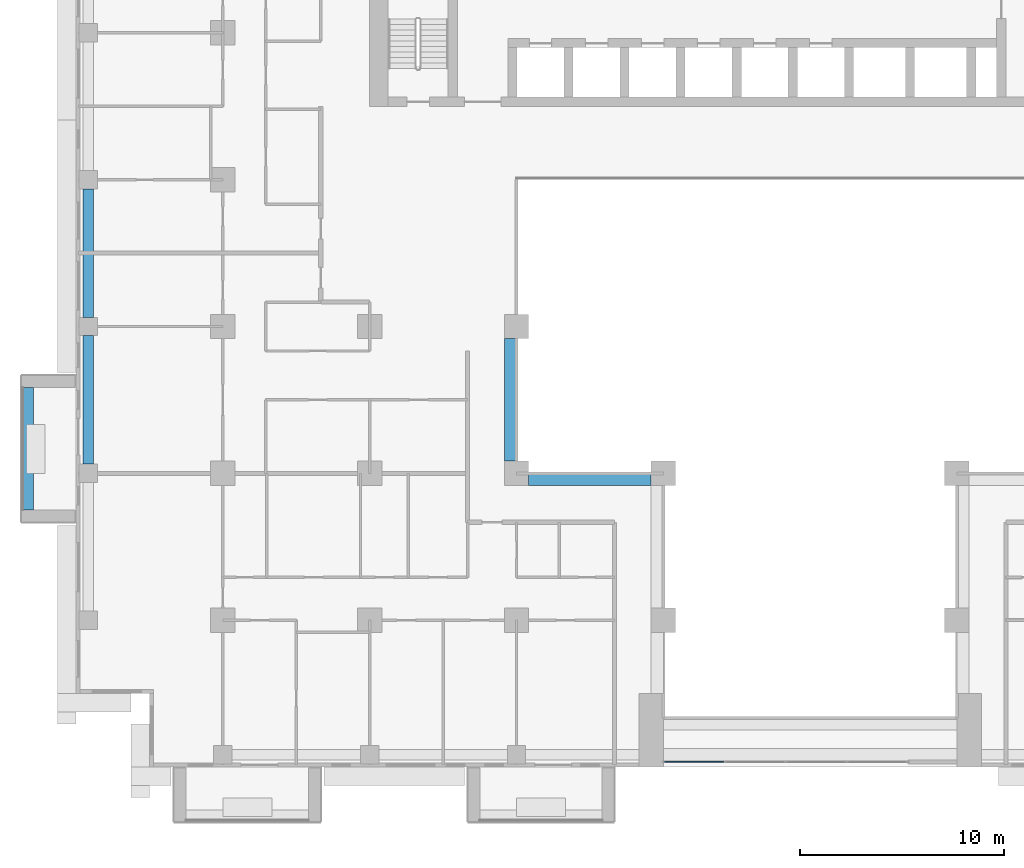
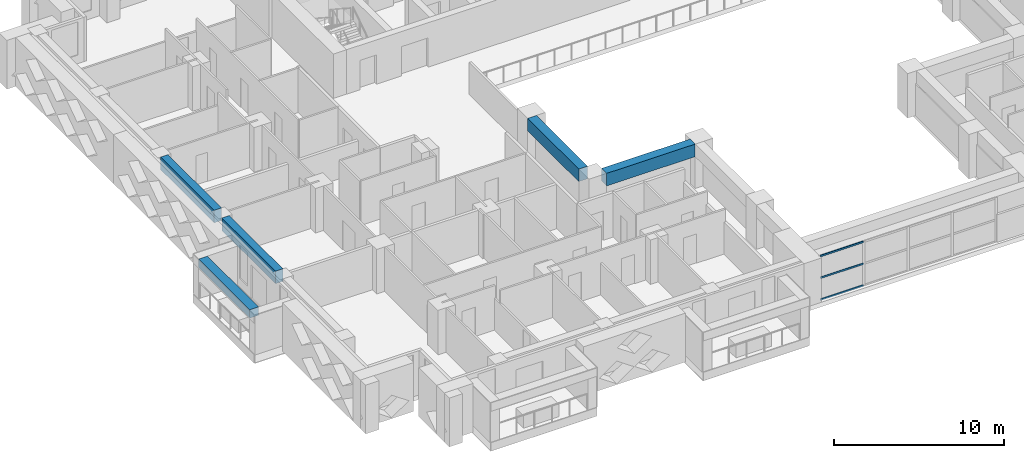
# One storey, part 3 of 17: 5 beams, 3 members, 1 element without a shape of its own.
"""IFC4 building model written with IfcOpenShell, lengths in metres."""

import ifcopenshell
import ifcopenshell.guid

model = None  # the IFC model being written
_history = None  # IfcOwnerHistory: only IFC2X3 demands one
_inside = {}  # id of a spatial element -> (the spatial element, [elements in it])
_under = {}  # id of a project, library or spatial element -> (it, [spatial elements below it])
_declared = {}  # id of a project -> (the project, [libraries it declares])
_typed = {}  # id of a type object -> (the type object, [elements of that type])
_made_of = {}  # id of a material, layer set ... -> (it, [elements and type objects made of it])


def new_model(schema):
    """Start an empty IFC model of exactly this schema.

    Asked for "IFC4X3", IfcOpenShell would pick the latest addendum, in which some entities
    have other attributes; the version numbers below select the first issue.
    IFC2X3 requires an IfcOwnerHistory on every rooted entity: one is made here for all.
    """
    global model, _history
    if schema == "IFC4X3":
        model = ifcopenshell.file(schema_version=(4, 3, 0, 0))
    else:
        model = ifcopenshell.file(schema=schema)
    _inside.clear()
    _under.clear()
    _declared.clear()
    _typed.clear()
    _made_of.clear()
    _history = None
    if model.schema == "IFC2X3":
        org = make("IfcOrganization", Name="unknown")
        user = make(
            "IfcPersonAndOrganization",
            ThePerson=make("IfcPerson", FamilyName="unknown"),
            TheOrganization=org,
        )
        app = make(
            "IfcApplication",
            ApplicationDeveloper=org,
            Version="unknown",
            ApplicationFullName="unknown",
            ApplicationIdentifier="unknown",
        )
        _history = make(
            "IfcOwnerHistory",
            OwningUser=user,
            OwningApplication=app,
            ChangeAction="ADDED",
            CreationDate=0,
        )
    return model


def make(cls, **values):
    """One entity of the class cls with the attributes given. An attribute that is None is left unset."""
    return model.create_entity(
        cls, **{name: value for name, value in values.items() if value is not None}
    )


def rooted(cls, **values):
    """An entity with a GlobalId (a new one), such as an element, a storey or a relation."""
    return make(cls, GlobalId=ifcopenshell.guid.new(), OwnerHistory=_history, **values)


def si_unit(unit_type, name, prefix=None):
    """IfcSIUnit, for example si_unit("LENGTHUNIT", "METRE", prefix="MILLI")."""
    return make("IfcSIUnit", UnitType=unit_type, Prefix=prefix, Name=name)


def assignment(units):
    """IfcUnitAssignment: the units of a project."""
    return None if units is None else make("IfcUnitAssignment", Units=units)


def point(xyz):
    """IfcCartesianPoint."""
    return None if xyz is None else make("IfcCartesianPoint", Coordinates=xyz)


def direction(xyz):
    """IfcDirection."""
    return None if xyz is None else make("IfcDirection", DirectionRatios=xyz)


def frame(location, z_axis=None, x_axis=None):
    """IfcAxis2Placement3D, a coordinate frame: its origin and axes. An axis left out is left unset."""
    return make(
        "IfcAxis2Placement3D",
        Location=point(location),
        Axis=direction(z_axis),
        RefDirection=direction(x_axis),
    )


def frame_2d(location, x_axis=None):
    """IfcAxis2Placement2D, a coordinate frame in the plane: its origin and x axis."""
    return make(
        "IfcAxis2Placement2D", Location=point(location), RefDirection=direction(x_axis)
    )


def origin():
    """The frame at (0, 0, 0) with its axes left unset."""
    return frame((0.0, 0.0, 0.0))


def origin_2d():
    """The frame at (0, 0) in the plane with its x axis left unset."""
    return frame_2d((0.0, 0.0))


def place(relative_to, where):
    """IfcLocalPlacement: puts the frame where relative to a parent placement (None: the world)."""
    return make(
        "IfcLocalPlacement", PlacementRelTo=relative_to, RelativePlacement=where
    )


def context(
    kind, dimensions, precision=None, world=None, true_north=None, identifier=None
):
    """IfcGeometricRepresentationContext, for example the 3D "Model" context."""
    return make(
        "IfcGeometricRepresentationContext",
        ContextIdentifier=identifier,
        ContextType=kind,
        CoordinateSpaceDimension=dimensions,
        Precision=precision,
        WorldCoordinateSystem=world,
        TrueNorth=true_north,
    )


def subcontext(parent, identifier, kind, view, scale=None):
    """IfcGeometricRepresentationSubContext, for example "Body" below "Model"."""
    return make(
        "IfcGeometricRepresentationSubContext",
        ContextIdentifier=identifier,
        ContextType=kind,
        ParentContext=parent,
        TargetScale=scale,
        TargetView=view,
    )


def project(units=None, contexts=None):
    """IfcProject with its units and contexts."""
    return rooted(
        "IfcProject",
        Name="project",
        RepresentationContexts=contexts,
        UnitsInContext=assignment(units),
    )


def spatial(cls, under=None, at=None, **own):
    """A site, building, storey or space (cls), placed at a placement, below another one or the project."""
    s = rooted(cls, ObjectPlacement=at, **own)
    if under is not None:
        _under.setdefault(under.id(), (under, []))[1].append(s)
    return s


def profile(cls, at=None, kind="AREA", **sizes):
    """A parametric profile (cls). Its sizes go by their IFC names, for example OverallWidth=200.0."""
    return make(cls, ProfileType=kind, Position=at, **sizes)


def rectangle(**sizes):
    """IfcRectangleProfileDef."""
    return profile("IfcRectangleProfileDef", **sizes)


def extrude(swept, where, along, depth):
    """IfcExtrudedAreaSolid: the profile swept, set in the frame where, extruded along a direction by depth."""
    return make(
        "IfcExtrudedAreaSolid",
        SweptArea=swept,
        Position=where,
        ExtrudedDirection=direction(along),
        Depth=depth,
    )


def shape(context_of_items, identifier, shape_type, items):
    """IfcShapeRepresentation: the items that make up one representation, for example the "Body"."""
    return make(
        "IfcShapeRepresentation",
        ContextOfItems=context_of_items,
        RepresentationIdentifier=identifier,
        RepresentationType=shape_type,
        Items=items,
    )


def source(mapping_origin, context_of_items, identifier, shape_type, items):
    """IfcRepresentationMap: a shape defined once, which mapped items show again and again."""
    return make(
        "IfcRepresentationMap",
        MappingOrigin=mapping_origin,
        MappedRepresentation=shape(context_of_items, identifier, shape_type, items),
    )


def transform(
    local_origin,
    x_axis=None,
    y_axis=None,
    z_axis=None,
    scale=None,
    scale2=None,
    scale3=None,
    uniform=True,
):
    """IfcCartesianTransformationOperator3D, or its non-uniform kind. x_axis, y_axis, z_axis: its Axis1, 2, 3."""
    if uniform:
        return make(
            "IfcCartesianTransformationOperator3D",
            Axis1=direction(x_axis),
            Axis2=direction(y_axis),
            LocalOrigin=point(local_origin),
            Scale=scale,
            Axis3=direction(z_axis),
        )
    return make(
        "IfcCartesianTransformationOperator3DnonUniform",
        Axis1=direction(x_axis),
        Axis2=direction(y_axis),
        LocalOrigin=point(local_origin),
        Scale=scale,
        Axis3=direction(z_axis),
        Scale2=scale2,
        Scale3=scale3,
    )


def mapped(mapping_source, mapping_target):
    """IfcMappedItem: shows the shape of a source again, moved by a transform."""
    return make(
        "IfcMappedItem", MappingSource=mapping_source, MappingTarget=mapping_target
    )


def material(Name=None, Category=None):
    """IfcMaterial."""
    return make("IfcMaterial", Name=Name, Category=Category)


def layer(
    of_material, thickness, ventilated=None, Name=None, Category=None, Priority=None
):
    """IfcMaterialLayer: one layer of a wall or slab, of a material (None: an air gap)."""
    return make(
        "IfcMaterialLayer",
        Material=of_material,
        LayerThickness=thickness,
        IsVentilated=ventilated,
        Name=Name,
        Category=Category,
        Priority=Priority,
    )


def layer_set(layers, Name=None):
    """IfcMaterialLayerSet."""
    return make("IfcMaterialLayerSet", MaterialLayers=layers, LayerSetName=Name)


def material_profile(
    of_material, cross_section, Name=None, Category=None, Priority=None
):
    """IfcMaterialProfile: a cross section and its material."""
    return make(
        "IfcMaterialProfile",
        Name=Name,
        Material=of_material,
        Profile=cross_section,
        Priority=Priority,
        Category=Category,
    )


def profile_set(profiles, Name=None, composite=None):
    """IfcMaterialProfileSet."""
    return make(
        "IfcMaterialProfileSet",
        Name=Name,
        MaterialProfiles=profiles,
        CompositeProfile=composite,
    )


def made_of(thing, what):
    """Note that an element or type object is made of a material, layer set ...; save() writes the relation."""
    if what is not None:
        _made_of.setdefault(what.id(), (what, []))[1].append(thing)
    return thing


def type_object(cls, material=None, **own):
    """A type object (cls), such as IfcWallType, which elements share."""
    return made_of(rooted(cls, **own), material)


def element(
    cls,
    number,
    at=None,
    inside=None,
    cuts=None,
    type_object=None,
    material=None,
    context=None,
    identifier="Body",
    shape_type=None,
    held_by="IfcProductDefinitionShape",
    body=None,
    shapes=None,
    **own,
):
    """One element of the class cls, such as IfcWall. Its Tag is "e" and its number.

    at: its placement. inside: the storey or other place that contains it. cuts: it is an
    opening in that element (IfcRelVoidsElement). A single representation is given by context,
    identifier, shape_type and body (its items); several are given by shapes. held_by: the class
    of the entity that holds the representations. save() writes the other relations.
    """
    e = rooted(cls, Tag="e%d" % number, ObjectPlacement=at, **own)
    if body is not None:
        shapes = [shape(context, identifier, shape_type, body)]
    if shapes is not None:
        e.Representation = make(held_by, Representations=shapes)
    if inside is not None:
        _inside.setdefault(inside.id(), (inside, []))[1].append(e)
    if cuts is not None:
        rooted(
            "IfcRelVoidsElement", RelatingBuildingElement=cuts, RelatedOpeningElement=e
        )
    if type_object is not None:
        _typed.setdefault(type_object.id(), (type_object, []))[1].append(e)
    return made_of(e, material)


def aggregate(whole, parts):
    """IfcRelAggregates: a whole, such as a stair, and the parts it consists of."""
    return rooted("IfcRelAggregates", RelatingObject=whole, RelatedObjects=parts)


def save(model, path):
    """Write the relations noted so far, then the file.

    IfcRelAggregates (storeys below a building ...), IfcRelContainedInSpatialStructure (elements
    in a storey), IfcRelDefinesByType, IfcRelAssociatesMaterial and IfcRelDeclares: one each for
    every whole, place, type object, material and project.
    """
    for whole, parts in _under.values():
        aggregate(whole, parts)
    for where, things in _inside.values():
        rooted(
            "IfcRelContainedInSpatialStructure",
            RelatedElements=things,
            RelatingStructure=where,
        )
    for kind, things in _typed.values():
        rooted("IfcRelDefinesByType", RelatedObjects=things, RelatingType=kind)
    for what, things in _made_of.values():
        rooted("IfcRelAssociatesMaterial", RelatedObjects=things, RelatingMaterial=what)
    for by, libraries in _declared.values():
        rooted("IfcRelDeclares", RelatingContext=by, RelatedDefinitions=libraries)
    model.write(path)


model = new_model("IFC4")

# Units and contexts
model_context = context("Model", 3, precision=1e-05, world=origin(), true_north=direction((0.0, 1.0)))
body_context = subcontext(model_context, "Body", "Model", "MODEL_VIEW")
ifc_project = project(units=[si_unit("LENGTHUNIT", "METRE"), si_unit("AREAUNIT", "SQUARE_METRE"), si_unit("VOLUMEUNIT", "CUBIC_METRE"), si_unit("PLANEANGLEUNIT", "RADIAN"), si_unit("MASSUNIT", "GRAM", prefix="KILO")], contexts=[model_context])

# Site, building, storey
site_placement = place(None, origin())
site = spatial("IfcSite", under=ifc_project, at=site_placement, CompositionType="ELEMENT")
building_placement = place(site_placement, origin())
building = spatial("IfcBuilding", under=site, at=building_placement, Name="Saffron Iwan Residences", CompositionType="ELEMENT")
storey_placement = place(building_placement, frame((0.0, 0.0, 97.0)))
storey = spatial("IfcBuildingStorey", under=building, at=storey_placement, Name="L25", CompositionType="ELEMENT", Elevation=97.0)

# Beams
ifc_material_1 = material(Name="Concrete C60/75", Category="concrete")
ifc_material_profile_1 = material_profile(ifc_material_1, rectangle(XDim=0.5, YDim=0.89990234375, at=origin_2d()), Name="RC 500x900")
ifc_profile_set_1 = profile_set([ifc_material_profile_1], Name="Concrete C60/75")
beam_type_1 = type_object("IfcBeamType", Name="SPANDREL BEAM RC 500x900 C60/75 TOP 3180", PredefinedType="SPANDREL", material=ifc_profile_set_1)
shared_shape_1 = source(origin(), body_context, "Body", "SweptSolid", [
    extrude(rectangle(XDim=0.5, YDim=0.89990234375, at=origin_2d()), origin(), (0.0, 0.0, 1.0), 6.300048828125),
])
for number, where, z_axis, x_axis, name in (
    (1, (15.0, 48.449951171875, 2.72998046875), (0.0, 1.0, 0.0), (-1.0, 0.0, 0.0), "Spandrel beam"),
    (2, (15.0, 55.64990234375, 2.72998046875), (0.0, 1.0, 0.0), (-1.0, 0.0, 0.0), "Spandrel beam"),
):
    element("IfcBeam", number, at=place(storey_placement, frame(where, z_axis=z_axis, x_axis=x_axis)), inside=storey, type_object=beam_type_1, Name=name, PredefinedType="SPANDREL", context=body_context, shape_type="MappedRepresentation", body=[
        mapped(shared_shape_1, transform((0.0, 0.0, 0.0))),
    ])
ifc_material_profile_2 = material_profile(ifc_material_1, rectangle(XDim=0.60009765625, YDim=0.89990234375, at=origin_2d()), Name="RC 600x900")
ifc_profile_set_2 = profile_set([ifc_material_profile_2], Name="Concrete C60/75")
beam_type_2 = type_object("IfcBeamType", Name="BEAM RC 600x900 C60/75 TOP 3180", PredefinedType="BEAM", material=ifc_profile_set_2)
shared_shape_2 = source(origin(), body_context, "Body", "SweptSolid", [
    extrude(rectangle(XDim=0.60009765625, YDim=0.89990234375, at=origin_2d()), origin(), (0.0, 0.0, 1.0), 6.0),
])
for number, where, z_axis, x_axis, name in (
    (3, (42.60009765625, 47.699951171875, 2.72998046875), (-1.0, 0.0, 0.0), (0.0, -1.0, 0.0), "Atrium edge beam"),
    (4, (35.699951171875, 48.60009765625, 2.72998046875), (0.0, 1.0, 0.0), (-1.0, 0.0, 0.0), "Atrium edge beam"),
):
    element("IfcBeam", number, at=place(storey_placement, frame(where, z_axis=z_axis, x_axis=x_axis)), inside=storey, type_object=beam_type_2, Name=name, PredefinedType="BEAM", context=body_context, shape_type="MappedRepresentation", body=[
        mapped(shared_shape_2, transform((0.0, 0.0, 0.0))),
    ])

# Curtain wall, members
ifc_material_2 = material(Name="Clear glass, laminated double glazed", Category="glass")
ifc_layer = layer(ifc_material_2, 0.199951171875)
ifc_layer_set = layer_set([ifc_layer], Name="Clear glass, laminated double glazed")
curtain_wall_type = type_object("IfcCurtainWallType", Name="CW-B IWAN PORTAL", PredefinedType="NOTDEFINED", material=ifc_layer_set)
curtain_wall_placement = place(storey_placement, origin())
curtain_wall = element("IfcCurtainWall", 5, at=curtain_wall_placement, inside=storey, type_object=curtain_wall_type, Name="Iwan portal glazing L25.1", PredefinedType="NOTDEFINED")
ifc_material_3 = material(Name="Aluminium 6063-T6", Category="aluminium")
ifc_material_profile_3 = material_profile(ifc_material_3, rectangle(XDim=0.06005859375, YDim=0.1201171875, at=origin_2d()), Name="CW-B TRANSOM 60 x 120")
ifc_profile_set_3 = profile_set([ifc_material_profile_3], Name="Aluminium 6063-T6")
member_type = type_object("IfcMemberType", Name="CW-B TRANSOM 60 x 120", PredefinedType="USERDEFINED", material=ifc_profile_set_3)
shared_shape_3 = source(origin(), body_context, "Body", "SweptSolid", [
    extrude(rectangle(XDim=0.06005859375, YDim=0.1201171875, at=origin_2d()), origin(), (0.0, 0.0, 1.0), 2.909912109375),
])
member_1_placement = place(storey_placement, frame((43.260009765625, 33.85009765625, 0.030029296875), z_axis=(1.0, 0.0, 0.0), x_axis=(0.0, 1.0, 0.0)))
member_1 = element("IfcMember", 6, at=member_1_placement, type_object=member_type, Name="CW-B transom 1.1", ObjectType="TRANSOM", PredefinedType="USERDEFINED", context=body_context, shape_type="MappedRepresentation", body=[
    mapped(shared_shape_3, transform((0.0, 0.0, 0.0))),
])
member_2_placement = place(storey_placement, frame((43.260009765625, 33.85009765625, 1.590087890625), z_axis=(1.0, 0.0, 0.0), x_axis=(0.0, 1.0, 0.0)))
member_2 = element("IfcMember", 7, at=member_2_placement, type_object=member_type, Name="CW-B transom 1.2", ObjectType="TRANSOM", PredefinedType="USERDEFINED", context=body_context, shape_type="MappedRepresentation", body=[
    mapped(shared_shape_3, transform((0.0, 0.0, 0.0))),
])
member_3_placement = place(storey_placement, frame((43.260009765625, 33.85009765625, 3.14990234375), z_axis=(1.0, 0.0, 0.0), x_axis=(0.0, 1.0, 0.0)))
member_3 = element("IfcMember", 8, at=member_3_placement, type_object=member_type, Name="CW-B transom 1.3", ObjectType="TRANSOM", PredefinedType="USERDEFINED", context=body_context, shape_type="MappedRepresentation", body=[
    mapped(shared_shape_3, transform((0.0, 0.0, 0.0))),
])
aggregate(curtain_wall, [member_1, member_2, member_3])

# Beam
ifc_material_4 = material(Name="Concrete C50/60 white painted", Category="concrete")
ifc_material_profile_4 = material_profile(ifc_material_4, rectangle(XDim=0.60009765625, YDim=0.60009765625, at=origin_2d()), Name="BALCONY FASCIA BEAM 600 x 600")
ifc_profile_set_4 = profile_set([ifc_material_profile_4], Name="Concrete C50/60 white painted")
beam_type_3 = type_object("IfcBeamType", Name="BALCONY FASCIA BEAM 600 x 600", PredefinedType="BEAM", material=ifc_profile_set_4)
shared_shape_4 = source(origin(), body_context, "Body", "SweptSolid", [
    extrude(rectangle(XDim=0.60009765625, YDim=0.60009765625, at=origin_2d()), origin(), (0.0, 0.0, 1.0), 6.0),
])
beam_placement = place(storey_placement, frame((12.0, 52.199951171875, 2.550048828125), z_axis=(0.0, -1.0, 0.0), x_axis=(1.0, 0.0, 0.0)))
element("IfcBeam", 9, at=beam_placement, inside=storey, type_object=beam_type_3, Name="Balcony fascia beam L25 F8-1", PredefinedType="BEAM", context=body_context, shape_type="MappedRepresentation", body=[
    mapped(shared_shape_4, transform((0.0, 0.0, 0.0))),
])

save(model, "model.ifc")
